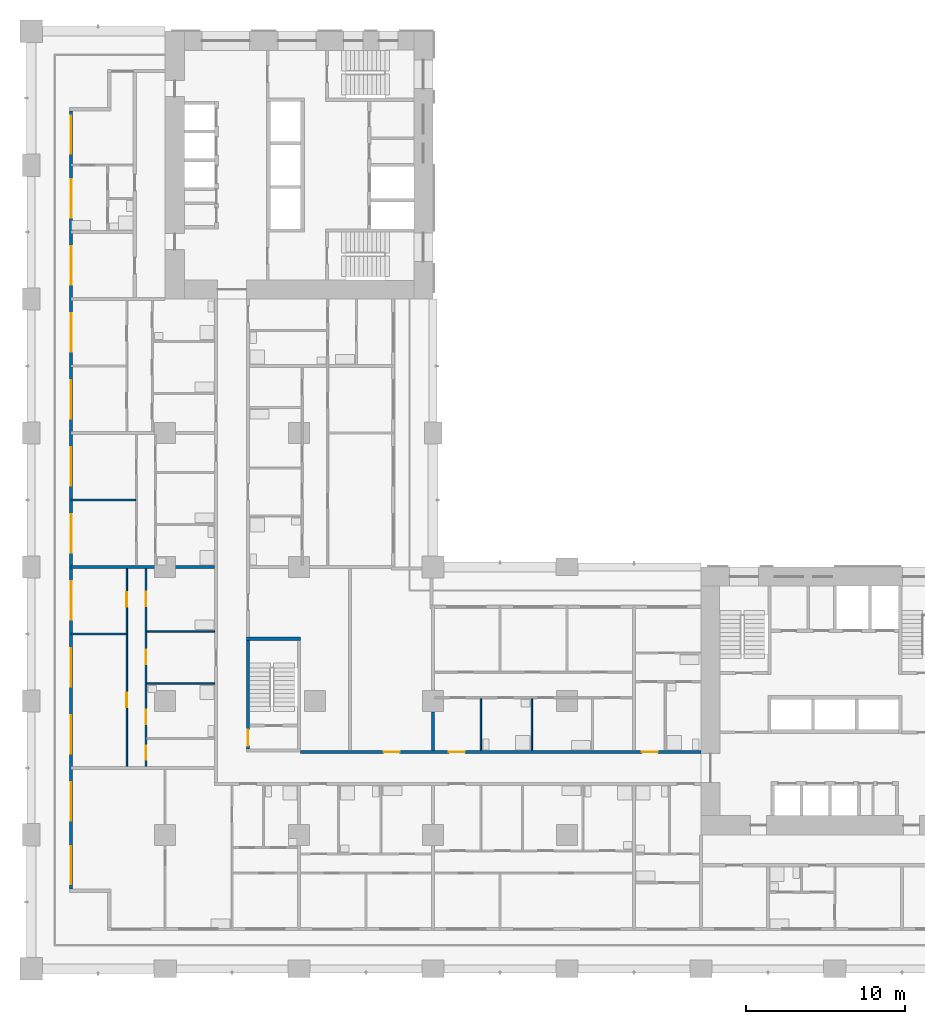
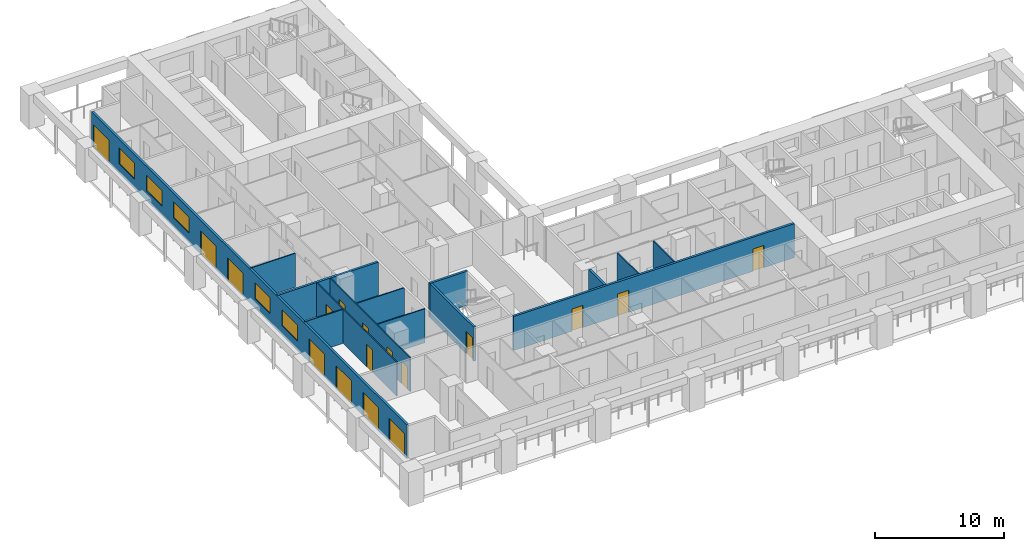
# One storey, part 3 of 19: 17 doors, 14 walls, 5 windows, 22 openings.
"""IFC4 building model written with IfcOpenShell, lengths in metres."""

from ifc_helpers import new_model, si_unit, direction, frame, frame_2d, origin, place, context, subcontext, project, spatial, rectangle, extrude, material, layer, layer_set, type_object, element, fill, save


model = new_model("IFC4")

# Units and contexts
model_context = context("Model", 3, precision=1e-05, world=origin(), true_north=direction((0.0, 1.0)))
body_context = subcontext(model_context, "Body", "Model", "MODEL_VIEW")
ifc_project = project(units=[si_unit("LENGTHUNIT", "METRE"), si_unit("AREAUNIT", "SQUARE_METRE"), si_unit("VOLUMEUNIT", "CUBIC_METRE"), si_unit("PLANEANGLEUNIT", "RADIAN"), si_unit("MASSUNIT", "GRAM", prefix="KILO")], contexts=[model_context])

# Site, building, storey
site_placement = place(None, origin())
site = spatial("IfcSite", under=ifc_project, at=site_placement, CompositionType="ELEMENT")
building_placement = place(site_placement, origin())
building = spatial("IfcBuilding", under=site, at=building_placement, Name="Vermilion Gate Residences", CompositionType="ELEMENT")
storey_placement = place(building_placement, frame((0.0, 0.0, 49.699951171875)))
storey = spatial("IfcBuildingStorey", under=building, at=storey_placement, Name="L11", CompositionType="ELEMENT", Elevation=49.699951171875)

# Wall, openings, doors, windows
ifc_material_1 = material(Name="Insulated steel stud wall with terracotta rainscreen", Category="masonry")
ifc_layer_1 = layer(ifc_material_1, 0.199951171875)
ifc_layer_set_1 = layer_set([ifc_layer_1], Name="EXTERNAL WALL 200 TERRACOTTA RAINSCREEN")
wall_type_1 = type_object("IfcWallType", Name="EXTERNAL WALL 200 TERRACOTTA RAINSCREEN", PredefinedType="SOLIDWALL", material=ifc_layer_set_1)
wall_1_placement = place(storey_placement, frame((2.5, 53.800048828125, 0.0), z_axis=(0.0, 0.0, 1.0), x_axis=(0.0, -1.0, 0.0)))
wall_1 = element("IfcWall", 1, at=wall_1_placement, inside=storey, type_object=wall_type_1, Name="External wall", PredefinedType="SOLIDWALL", context=body_context, shape_type="SweptSolid", body=[
    extrude(rectangle(XDim=48.800048828125, YDim=0.199951171875, at=frame_2d((24.39990234375, 0.0))), origin(), (0.0, 0.0, 1.0), 3.219970703125),
])
opening_1_placement = place(wall_1_placement, frame((46.10009765625, 0.0, 0.0)))
opening_1 = element("IfcOpeningElement", 2, at=opening_1_placement, cuts=wall_1, Name="Opening DE11002", PredefinedType="OPENING", context=body_context, shape_type="SweptSolid", body=[
    extrude(rectangle(XDim=2.39990234375, YDim=2.199951171875, at=frame_2d((1.199951171875, 1.10009765625))), frame((0.0, 0.10986328125, 0.0), z_axis=(0.0, -1.0, 0.0), x_axis=(1.0, 0.0, 0.0)), (0.0, 0.0, 1.0), 0.219970703125),
])
opening_2_placement = place(wall_1_placement, frame((42.10009765625, 0.0, 0.0)))
opening_2 = element("IfcOpeningElement", 3, at=opening_2_placement, cuts=wall_1, Name="Opening DE11003", PredefinedType="OPENING", context=body_context, shape_type="SweptSolid", body=[
    extrude(rectangle(XDim=2.39990234375, YDim=2.199951171875, at=frame_2d((1.199951171875, 1.10009765625))), frame((0.0, 0.10986328125, 0.0), z_axis=(0.0, -1.0, 0.0), x_axis=(1.0, 0.0, 0.0)), (0.0, 0.0, 1.0), 0.219970703125),
])
opening_3_placement = place(wall_1_placement, frame((37.89990234375, 0.0, 0.0)))
opening_3 = element("IfcOpeningElement", 4, at=opening_3_placement, cuts=wall_1, Name="Opening DE11004", PredefinedType="OPENING", context=body_context, shape_type="SweptSolid", body=[
    extrude(rectangle(XDim=2.39990234375, YDim=2.199951171875, at=frame_2d((1.199951171875, 1.10009765625))), frame((0.0, 0.10986328125, 0.0), z_axis=(0.0, -1.0, 0.0), x_axis=(1.0, 0.0, 0.0)), (0.0, 0.0, 1.0), 0.219970703125),
])
opening_4_placement = place(wall_1_placement, frame((33.699951171875, 0.0, 0.0)))
opening_4 = element("IfcOpeningElement", 5, at=opening_4_placement, cuts=wall_1, Name="Opening DE11005", PredefinedType="OPENING", context=body_context, shape_type="SweptSolid", body=[
    extrude(rectangle(XDim=2.39990234375, YDim=2.199951171875, at=frame_2d((1.199951171875, 1.10009765625))), frame((0.0, 0.10986328125, 0.0), z_axis=(0.0, -1.0, 0.0), x_axis=(1.0, 0.0, 0.0)), (0.0, 0.0, 1.0), 0.219970703125),
])
opening_5_placement = place(wall_1_placement, frame((29.5, 0.0, 0.89990234375)))
opening_5 = element("IfcOpeningElement", 6, at=opening_5_placement, cuts=wall_1, Name="Opening WE11006", PredefinedType="OPENING", context=body_context, shape_type="SweptSolid", body=[
    extrude(rectangle(XDim=2.39990234375, YDim=1.5, at=frame_2d((1.199951171875, 0.75))), frame((0.0, 0.10986328125, 0.0), z_axis=(0.0, -1.0, 0.0), x_axis=(1.0, 0.0, 0.0)), (0.0, 0.0, 1.0), 0.219970703125),
])
opening_6_placement = place(wall_1_placement, frame((25.300048828125, 0.0, 0.89990234375)))
opening_6 = element("IfcOpeningElement", 7, at=opening_6_placement, cuts=wall_1, Name="Opening WE11007", PredefinedType="OPENING", context=body_context, shape_type="SweptSolid", body=[
    extrude(rectangle(XDim=2.39990234375, YDim=1.5, at=frame_2d((1.199951171875, 0.75))), frame((0.0, 0.10986328125, 0.0), z_axis=(0.0, -1.0, 0.0), x_axis=(1.0, 0.0, 0.0)), (0.0, 0.0, 1.0), 0.219970703125),
])
opening_7_placement = place(wall_1_placement, frame((21.10009765625, 0.0, 0.0)))
opening_7 = element("IfcOpeningElement", 8, at=opening_7_placement, cuts=wall_1, Name="Opening DE11008", PredefinedType="OPENING", context=body_context, shape_type="SweptSolid", body=[
    extrude(rectangle(XDim=2.39990234375, YDim=2.199951171875, at=frame_2d((1.199951171875, 1.10009765625))), frame((0.0, 0.10986328125, 0.0), z_axis=(0.0, -1.0, 0.0), x_axis=(1.0, 0.0, 0.0)), (0.0, 0.0, 1.0), 0.219970703125),
])
opening_8_placement = place(wall_1_placement, frame((16.89990234375, 0.0, 0.0)))
opening_8 = element("IfcOpeningElement", 9, at=opening_8_placement, cuts=wall_1, Name="Opening DE11009", PredefinedType="OPENING", context=body_context, shape_type="SweptSolid", body=[
    extrude(rectangle(XDim=2.39990234375, YDim=2.199951171875, at=frame_2d((1.199951171875, 1.10009765625))), frame((0.0, 0.10986328125, 0.0), z_axis=(0.0, -1.0, 0.0), x_axis=(1.0, 0.0, 0.0)), (0.0, 0.0, 1.0), 0.219970703125),
])
opening_9_placement = place(wall_1_placement, frame((12.699951171875, 0.0, 0.89990234375)))
opening_9 = element("IfcOpeningElement", 10, at=opening_9_placement, cuts=wall_1, Name="Opening WE11010", PredefinedType="OPENING", context=body_context, shape_type="SweptSolid", body=[
    extrude(rectangle(XDim=2.39990234375, YDim=1.5, at=frame_2d((1.199951171875, 0.75))), frame((0.0, 0.10986328125, 0.0), z_axis=(0.0, -1.0, 0.0), x_axis=(1.0, 0.0, 0.0)), (0.0, 0.0, 1.0), 0.219970703125),
])
opening_10_placement = place(wall_1_placement, frame((8.5, 0.0, 0.89990234375)))
opening_10 = element("IfcOpeningElement", 11, at=opening_10_placement, cuts=wall_1, Name="Opening WE11011", PredefinedType="OPENING", context=body_context, shape_type="SweptSolid", body=[
    extrude(rectangle(XDim=2.39990234375, YDim=1.5, at=frame_2d((1.199951171875, 0.75))), frame((0.0, 0.10986328125, 0.0), z_axis=(0.0, -1.0, 0.0), x_axis=(1.0, 0.0, 0.0)), (0.0, 0.0, 1.0), 0.219970703125),
])
opening_11_placement = place(wall_1_placement, frame((4.300048828125, 0.0, 0.89990234375)))
opening_11 = element("IfcOpeningElement", 12, at=opening_11_placement, cuts=wall_1, Name="Opening WE11012", PredefinedType="OPENING", context=body_context, shape_type="SweptSolid", body=[
    extrude(rectangle(XDim=2.39990234375, YDim=1.5, at=frame_2d((1.199951171875, 0.75))), frame((0.0, 0.10986328125, 0.0), z_axis=(0.0, -1.0, 0.0), x_axis=(1.0, 0.0, 0.0)), (0.0, 0.0, 1.0), 0.219970703125),
])
opening_12_placement = place(wall_1_placement, frame((0.300048828125, 0.0, 0.0)))
opening_12 = element("IfcOpeningElement", 13, at=opening_12_placement, cuts=wall_1, Name="Opening DE11013", PredefinedType="OPENING", context=body_context, shape_type="SweptSolid", body=[
    extrude(rectangle(XDim=2.39990234375, YDim=2.199951171875, at=frame_2d((1.199951171875, 1.10009765625))), frame((0.0, 0.10986328125, 0.0), z_axis=(0.0, -1.0, 0.0), x_axis=(1.0, 0.0, 0.0)), (0.0, 0.0, 1.0), 0.219970703125),
])
ifc_material_2 = material(Name="Aluminium and clear glass", Category="aluminium")
door_type_1 = type_object("IfcDoorType", Name="SLIDING GLAZED DOOR 2400 X 2200", OperationType="DOUBLE_DOOR_SLIDING", PredefinedType="DOOR", material=ifc_material_2)
door_1_placement = place(opening_1_placement, origin())
door_1 = element("IfcDoor", 14, at=door_1_placement, inside=storey, type_object=door_type_1, Name="Loggia sliding door", OperationType="DOUBLE_DOOR_SLIDING", OverallHeight=2.199951171875, OverallWidth=2.39990234375, PredefinedType="DOOR", context=body_context, shape_type="SweptSolid", body=[
    extrude(rectangle(XDim=2.39990234375, YDim=2.199951171875, at=frame_2d((1.199951171875, 1.10009765625))), frame((0.0, 0.02490234375, 0.0), z_axis=(0.0, -1.0, 0.0), x_axis=(1.0, 0.0, 0.0)), (0.0, 0.0, 1.0), 0.050048828125),
])
fill(opening_1, door_1)
door_2_placement = place(opening_2_placement, origin())
door_2 = element("IfcDoor", 15, at=door_2_placement, inside=storey, type_object=door_type_1, Name="Loggia sliding door", OperationType="DOUBLE_DOOR_SLIDING", OverallHeight=2.199951171875, OverallWidth=2.39990234375, PredefinedType="DOOR", context=body_context, shape_type="SweptSolid", body=[
    extrude(rectangle(XDim=2.39990234375, YDim=2.199951171875, at=frame_2d((1.199951171875, 1.10009765625))), frame((0.0, 0.02490234375, 0.0), z_axis=(0.0, -1.0, 0.0), x_axis=(1.0, 0.0, 0.0)), (0.0, 0.0, 1.0), 0.050048828125),
])
fill(opening_2, door_2)
door_3_placement = place(opening_3_placement, origin())
door_3 = element("IfcDoor", 16, at=door_3_placement, inside=storey, type_object=door_type_1, Name="Loggia sliding door", OperationType="DOUBLE_DOOR_SLIDING", OverallHeight=2.199951171875, OverallWidth=2.39990234375, PredefinedType="DOOR", context=body_context, shape_type="SweptSolid", body=[
    extrude(rectangle(XDim=2.39990234375, YDim=2.199951171875, at=frame_2d((1.199951171875, 1.10009765625))), frame((0.0, 0.02490234375, 0.0), z_axis=(0.0, -1.0, 0.0), x_axis=(1.0, 0.0, 0.0)), (0.0, 0.0, 1.0), 0.050048828125),
])
fill(opening_3, door_3)
door_4_placement = place(opening_4_placement, origin())
door_4 = element("IfcDoor", 17, at=door_4_placement, inside=storey, type_object=door_type_1, Name="Loggia sliding door", OperationType="DOUBLE_DOOR_SLIDING", OverallHeight=2.199951171875, OverallWidth=2.39990234375, PredefinedType="DOOR", context=body_context, shape_type="SweptSolid", body=[
    extrude(rectangle(XDim=2.39990234375, YDim=2.199951171875, at=frame_2d((1.199951171875, 1.10009765625))), frame((0.0, 0.02490234375, 0.0), z_axis=(0.0, -1.0, 0.0), x_axis=(1.0, 0.0, 0.0)), (0.0, 0.0, 1.0), 0.050048828125),
])
fill(opening_4, door_4)
door_5_placement = place(opening_7_placement, origin())
door_5 = element("IfcDoor", 18, at=door_5_placement, inside=storey, type_object=door_type_1, Name="Loggia sliding door", OperationType="DOUBLE_DOOR_SLIDING", OverallHeight=2.199951171875, OverallWidth=2.39990234375, PredefinedType="DOOR", context=body_context, shape_type="SweptSolid", body=[
    extrude(rectangle(XDim=2.39990234375, YDim=2.199951171875, at=frame_2d((1.199951171875, 1.10009765625))), frame((0.0, 0.02490234375, 0.0), z_axis=(0.0, -1.0, 0.0), x_axis=(1.0, 0.0, 0.0)), (0.0, 0.0, 1.0), 0.050048828125),
])
fill(opening_7, door_5)
door_6_placement = place(opening_8_placement, origin())
door_6 = element("IfcDoor", 19, at=door_6_placement, inside=storey, type_object=door_type_1, Name="Loggia sliding door", OperationType="DOUBLE_DOOR_SLIDING", OverallHeight=2.199951171875, OverallWidth=2.39990234375, PredefinedType="DOOR", context=body_context, shape_type="SweptSolid", body=[
    extrude(rectangle(XDim=2.39990234375, YDim=2.199951171875, at=frame_2d((1.199951171875, 1.10009765625))), frame((0.0, 0.02490234375, 0.0), z_axis=(0.0, -1.0, 0.0), x_axis=(1.0, 0.0, 0.0)), (0.0, 0.0, 1.0), 0.050048828125),
])
fill(opening_8, door_6)
door_7_placement = place(opening_12_placement, origin())
door_7 = element("IfcDoor", 20, at=door_7_placement, inside=storey, type_object=door_type_1, Name="Loggia sliding door", OperationType="DOUBLE_DOOR_SLIDING", OverallHeight=2.199951171875, OverallWidth=2.39990234375, PredefinedType="DOOR", context=body_context, shape_type="SweptSolid", body=[
    extrude(rectangle(XDim=2.39990234375, YDim=2.199951171875, at=frame_2d((1.199951171875, 1.10009765625))), frame((0.0, 0.02490234375, 0.0), z_axis=(0.0, -1.0, 0.0), x_axis=(1.0, 0.0, 0.0)), (0.0, 0.0, 1.0), 0.050048828125),
])
fill(opening_12, door_7)
ifc_material_3 = material(Name="Aluminium and clear glass", Category="aluminium")
window_type = type_object("IfcWindowType", Name="WINDOW 2400 X 1500", PartitioningType="SINGLE_PANEL", PredefinedType="WINDOW", material=ifc_material_3)
window_1_placement = place(opening_5_placement, origin())
window_1 = element("IfcWindow", 21, at=window_1_placement, inside=storey, type_object=window_type, Name="Window", OverallHeight=1.5, OverallWidth=2.39990234375, PartitioningType="SINGLE_PANEL", PredefinedType="WINDOW", context=body_context, shape_type="SweptSolid", body=[
    extrude(rectangle(XDim=2.39990234375, YDim=1.5, at=frame_2d((1.199951171875, 0.75))), frame((0.0, 0.030029296875, 0.0), z_axis=(0.0, -1.0, 0.0), x_axis=(1.0, 0.0, 0.0)), (0.0, 0.0, 1.0), 0.06005859375),
])
fill(opening_5, window_1)
window_2_placement = place(opening_6_placement, origin())
window_2 = element("IfcWindow", 22, at=window_2_placement, inside=storey, type_object=window_type, Name="Window", OverallHeight=1.5, OverallWidth=2.39990234375, PartitioningType="SINGLE_PANEL", PredefinedType="WINDOW", context=body_context, shape_type="SweptSolid", body=[
    extrude(rectangle(XDim=2.39990234375, YDim=1.5, at=frame_2d((1.199951171875, 0.75))), frame((0.0, 0.030029296875, 0.0), z_axis=(0.0, -1.0, 0.0), x_axis=(1.0, 0.0, 0.0)), (0.0, 0.0, 1.0), 0.06005859375),
])
fill(opening_6, window_2)
window_3_placement = place(opening_9_placement, origin())
window_3 = element("IfcWindow", 23, at=window_3_placement, inside=storey, type_object=window_type, Name="Window", OverallHeight=1.5, OverallWidth=2.39990234375, PartitioningType="SINGLE_PANEL", PredefinedType="WINDOW", context=body_context, shape_type="SweptSolid", body=[
    extrude(rectangle(XDim=2.39990234375, YDim=1.5, at=frame_2d((1.199951171875, 0.75))), frame((0.0, 0.030029296875, 0.0), z_axis=(0.0, -1.0, 0.0), x_axis=(1.0, 0.0, 0.0)), (0.0, 0.0, 1.0), 0.06005859375),
])
fill(opening_9, window_3)
window_4_placement = place(opening_10_placement, origin())
window_4 = element("IfcWindow", 24, at=window_4_placement, inside=storey, type_object=window_type, Name="Window", OverallHeight=1.5, OverallWidth=2.39990234375, PartitioningType="SINGLE_PANEL", PredefinedType="WINDOW", context=body_context, shape_type="SweptSolid", body=[
    extrude(rectangle(XDim=2.39990234375, YDim=1.5, at=frame_2d((1.199951171875, 0.75))), frame((0.0, 0.030029296875, 0.0), z_axis=(0.0, -1.0, 0.0), x_axis=(1.0, 0.0, 0.0)), (0.0, 0.0, 1.0), 0.06005859375),
])
fill(opening_10, window_4)
window_5_placement = place(opening_11_placement, origin())
window_5 = element("IfcWindow", 25, at=window_5_placement, inside=storey, type_object=window_type, Name="Window", OverallHeight=1.5, OverallWidth=2.39990234375, PartitioningType="SINGLE_PANEL", PredefinedType="WINDOW", context=body_context, shape_type="SweptSolid", body=[
    extrude(rectangle(XDim=2.39990234375, YDim=1.5, at=frame_2d((1.199951171875, 0.75))), frame((0.0, 0.030029296875, 0.0), z_axis=(0.0, -1.0, 0.0), x_axis=(1.0, 0.0, 0.0)), (0.0, 0.0, 1.0), 0.06005859375),
])
fill(opening_11, window_5)

# Walls
ifc_material_4 = material(Name="Plasterboard on steel studs", Category="steel")
ifc_layer_2 = layer(ifc_material_4, 0.10009765625)
ifc_layer_set_2 = layer_set([ifc_layer_2], Name="PARTITION 100")
wall_type_2 = type_object("IfcWallType", Name="PARTITION 100", PredefinedType="PARTITIONING", material=ifc_layer_set_2)
wall_2_placement = place(storey_placement, frame((7.25, 17.89990234375, 0.0), z_axis=(0.0, 0.0, 1.0), x_axis=(1.0, 0.0, 0.0)))
element("IfcWall", 26, at=wall_2_placement, inside=storey, type_object=wall_type_2, Name="Partition", PredefinedType="PARTITIONING", context=body_context, shape_type="SweptSolid", body=[
    extrude(rectangle(XDim=4.25, YDim=0.10009765625, at=frame_2d((2.125, 0.0))), origin(), (0.0, 0.0, 1.0), 3.219970703125),
])
wall_3_placement = place(storey_placement, frame((2.5, 21.0, 0.0), z_axis=(0.0, 0.0, 1.0), x_axis=(1.0, 0.0, 0.0)))
element("IfcWall", 27, at=wall_3_placement, inside=storey, type_object=wall_type_2, Name="Partition", PredefinedType="PARTITIONING", context=body_context, shape_type="SweptSolid", body=[
    extrude(rectangle(XDim=3.449951171875, YDim=0.10009765625, at=frame_2d((1.72509765625, 0.0))), origin(), (0.0, 0.0, 1.0), 3.219970703125),
])
wall_4_placement = place(storey_placement, frame((7.25, 21.14990234375, 0.0), z_axis=(0.0, 0.0, 1.0), x_axis=(1.0, 0.0, 0.0)))
element("IfcWall", 28, at=wall_4_placement, inside=storey, type_object=wall_type_2, Name="Partition", PredefinedType="PARTITIONING", context=body_context, shape_type="SweptSolid", body=[
    extrude(rectangle(XDim=4.25, YDim=0.10009765625, at=frame_2d((2.125, 0.0))), origin(), (0.0, 0.0, 1.0), 3.219970703125),
])
wall_5_placement = place(storey_placement, frame((2.5, 29.39990234375, 0.0), z_axis=(0.0, 0.0, 1.0), x_axis=(1.0, 0.0, 0.0)))
element("IfcWall", 29, at=wall_5_placement, inside=storey, type_object=wall_type_2, Name="Partition", PredefinedType="PARTITIONING", context=body_context, shape_type="SweptSolid", body=[
    extrude(rectangle(XDim=4.050048828125, YDim=0.10009765625, at=frame_2d((2.02490234375, 0.0))), origin(), (0.0, 0.0, 1.0), 3.219970703125),
])

# Wall, openings, doors
wall_6_placement = place(storey_placement, frame((6.0, 12.699951171875, 0.0), z_axis=(0.0, 0.0, 1.0), x_axis=(0.0, 1.0, 0.0)))
wall_6 = element("IfcWall", 30, at=wall_6_placement, inside=storey, type_object=wall_type_2, Name="Partition", PredefinedType="PARTITIONING", context=body_context, shape_type="SweptSolid", body=[
    extrude(rectangle(XDim=12.400146484375, YDim=0.10009765625, at=frame_2d((6.2001953125, 0.0))), origin(), (0.0, 0.0, 1.0), 3.219970703125),
])
opening_13_placement = place(wall_6_placement, frame((3.699951171875, 0.0, 0.0)))
opening_13 = element("IfcOpeningElement", 31, at=opening_13_placement, cuts=wall_6, Name="Opening DA10045", PredefinedType="OPENING", context=body_context, shape_type="SweptSolid", body=[
    extrude(rectangle(XDim=0.89990234375, YDim=2.10009765625, at=frame_2d((0.449951171875, 1.050048828125))), frame((0.0, 0.06005859375, 0.0), z_axis=(0.0, -1.0, 0.0), x_axis=(1.0, 0.0, 0.0)), (0.0, 0.0, 1.0), 0.1201171875),
])
opening_14_placement = place(wall_6_placement, frame((10.0, 0.0, 0.0)))
opening_14 = element("IfcOpeningElement", 32, at=opening_14_placement, cuts=wall_6, Name="Opening DA10046", PredefinedType="OPENING", context=body_context, shape_type="SweptSolid", body=[
    extrude(rectangle(XDim=0.89990234375, YDim=2.10009765625, at=frame_2d((0.449951171875, 1.050048828125))), frame((0.0, 0.06005859375, 0.0), z_axis=(0.0, -1.0, 0.0), x_axis=(1.0, 0.0, 0.0)), (0.0, 0.0, 1.0), 0.1201171875),
])
ifc_material_5 = material(Name="Timber", Category="wood")
door_type_2 = type_object("IfcDoorType", Name="INTERIOR DOOR 900 X 2100", OperationType="SINGLE_SWING_LEFT", PredefinedType="DOOR", material=ifc_material_5)
door_8_placement = place(opening_13_placement, origin())
door_8 = element("IfcDoor", 33, at=door_8_placement, inside=storey, type_object=door_type_2, Name="Interior door", OperationType="SINGLE_SWING_LEFT", OverallHeight=2.10009765625, OverallWidth=0.89990234375, PredefinedType="DOOR", context=body_context, shape_type="SweptSolid", body=[
    extrude(rectangle(XDim=0.89990234375, YDim=2.10009765625, at=frame_2d((0.449951171875, 1.050048828125))), frame((0.0, 0.02490234375, 0.0), z_axis=(0.0, -1.0, 0.0), x_axis=(1.0, 0.0, 0.0)), (0.0, 0.0, 1.0), 0.050048828125),
])
fill(opening_13, door_8)
door_9_placement = place(opening_14_placement, origin())
door_9 = element("IfcDoor", 34, at=door_9_placement, inside=storey, type_object=door_type_2, Name="Interior door", OperationType="SINGLE_SWING_RIGHT", OverallHeight=2.10009765625, OverallWidth=0.89990234375, PredefinedType="DOOR", context=body_context, shape_type="SweptSolid", body=[
    extrude(rectangle(XDim=0.89990234375, YDim=2.10009765625, at=frame_2d((0.449951171875, 1.050048828125))), frame((0.0, 0.02490234375, 0.0), z_axis=(0.0, -1.0, 0.0), x_axis=(1.0, 0.0, 0.0)), (0.0, 0.0, 1.0), 0.050048828125),
])
fill(opening_14, door_9)

wall_7_placement = place(storey_placement, frame((7.199951171875, 12.699951171875, 0.0), z_axis=(0.0, 0.0, 1.0), x_axis=(0.0, 1.0, 0.0)))
wall_7 = element("IfcWall", 35, at=wall_7_placement, inside=storey, type_object=wall_type_2, Name="Partition", PredefinedType="PARTITIONING", context=body_context, shape_type="SweptSolid", body=[
    extrude(rectangle(XDim=12.400146484375, YDim=0.10009765625, at=frame_2d((6.2001953125, 0.0))), origin(), (0.0, 0.0, 1.0), 3.219970703125),
])
opening_15_placement = place(wall_7_placement, frame((6.39990234375, 0.0, 0.0)))
opening_15 = element("IfcOpeningElement", 36, at=opening_15_placement, cuts=wall_7, Name="Opening DA10053", PredefinedType="OPENING", context=body_context, shape_type="SweptSolid", body=[
    extrude(rectangle(XDim=0.89990234375, YDim=2.10009765625, at=frame_2d((0.449951171875, 1.050048828125))), frame((0.0, 0.06005859375, 0.0), z_axis=(0.0, -1.0, 0.0), x_axis=(1.0, 0.0, 0.0)), (0.0, 0.0, 1.0), 0.1201171875),
])
opening_16_placement = place(wall_7_placement, frame((0.39990234375, 0.0, 0.0)))
opening_16 = element("IfcOpeningElement", 37, at=opening_16_placement, cuts=wall_7, Name="Opening DA10054", PredefinedType="OPENING", context=body_context, shape_type="SweptSolid", body=[
    extrude(rectangle(XDim=0.89990234375, YDim=2.10009765625, at=frame_2d((0.449951171875, 1.050048828125))), frame((0.0, 0.06005859375, 0.0), z_axis=(0.0, -1.0, 0.0), x_axis=(1.0, 0.0, 0.0)), (0.0, 0.0, 1.0), 0.1201171875),
])
opening_17_placement = place(wall_7_placement, frame((2.64990234375, 0.0, 0.0)))
opening_17 = element("IfcOpeningElement", 38, at=opening_17_placement, cuts=wall_7, Name="Opening DA10055", PredefinedType="OPENING", context=body_context, shape_type="SweptSolid", body=[
    extrude(rectangle(XDim=0.89990234375, YDim=2.10009765625, at=frame_2d((0.449951171875, 1.050048828125))), frame((0.0, 0.06005859375, 0.0), z_axis=(0.0, -1.0, 0.0), x_axis=(1.0, 0.0, 0.0)), (0.0, 0.0, 1.0), 0.1201171875),
])
opening_18_placement = place(wall_7_placement, frame((10.050048828125, 0.0, 0.0)))
opening_18 = element("IfcOpeningElement", 39, at=opening_18_placement, cuts=wall_7, Name="Opening DA10056", PredefinedType="OPENING", context=body_context, shape_type="SweptSolid", body=[
    extrude(rectangle(XDim=0.89990234375, YDim=2.10009765625, at=frame_2d((0.449951171875, 1.050048828125))), frame((0.0, 0.06005859375, 0.0), z_axis=(0.0, -1.0, 0.0), x_axis=(1.0, 0.0, 0.0)), (0.0, 0.0, 1.0), 0.1201171875),
])
door_10_placement = place(opening_15_placement, frame((0.89990234375, 0.0, 0.0), z_axis=(0.0, 0.0, 1.0), x_axis=(-1.0, 0.0, 0.0)))
door_10 = element("IfcDoor", 40, at=door_10_placement, inside=storey, type_object=door_type_2, Name="Interior door", OperationType="SINGLE_SWING_LEFT", OverallHeight=2.10009765625, OverallWidth=0.89990234375, PredefinedType="DOOR", context=body_context, shape_type="SweptSolid", body=[
    extrude(rectangle(XDim=0.89990234375, YDim=2.10009765625, at=frame_2d((0.449951171875, 1.050048828125))), frame((0.0, 0.02490234375, 0.0), z_axis=(0.0, -1.0, 0.0), x_axis=(1.0, 0.0, 0.0)), (0.0, 0.0, 1.0), 0.050048828125),
])
fill(opening_15, door_10)
door_11_placement = place(opening_16_placement, frame((0.89990234375, 0.0, 0.0), z_axis=(0.0, 0.0, 1.0), x_axis=(-1.0, 0.0, 0.0)))
door_11 = element("IfcDoor", 41, at=door_11_placement, inside=storey, type_object=door_type_2, Name="Interior door", OperationType="SINGLE_SWING_LEFT", OverallHeight=2.10009765625, OverallWidth=0.89990234375, PredefinedType="DOOR", context=body_context, shape_type="SweptSolid", body=[
    extrude(rectangle(XDim=0.89990234375, YDim=2.10009765625, at=frame_2d((0.449951171875, 1.050048828125))), frame((0.0, 0.02490234375, 0.0), z_axis=(0.0, -1.0, 0.0), x_axis=(1.0, 0.0, 0.0)), (0.0, 0.0, 1.0), 0.050048828125),
])
fill(opening_16, door_11)
door_12_placement = place(opening_17_placement, frame((0.89990234375, 0.0, 0.0), z_axis=(0.0, 0.0, 1.0), x_axis=(-1.0, 0.0, 0.0)))
door_12 = element("IfcDoor", 42, at=door_12_placement, inside=storey, type_object=door_type_2, Name="Interior door", OperationType="SINGLE_SWING_RIGHT", OverallHeight=2.10009765625, OverallWidth=0.89990234375, PredefinedType="DOOR", context=body_context, shape_type="SweptSolid", body=[
    extrude(rectangle(XDim=0.89990234375, YDim=2.10009765625, at=frame_2d((0.449951171875, 1.050048828125))), frame((0.0, 0.02490234375, 0.0), z_axis=(0.0, -1.0, 0.0), x_axis=(1.0, 0.0, 0.0)), (0.0, 0.0, 1.0), 0.050048828125),
])
fill(opening_17, door_12)
door_13_placement = place(opening_18_placement, frame((0.89990234375, 0.0, 0.0), z_axis=(0.0, 0.0, 1.0), x_axis=(-1.0, 0.0, 0.0)))
door_13 = element("IfcDoor", 43, at=door_13_placement, inside=storey, type_object=door_type_2, Name="Interior door", OperationType="SINGLE_SWING_LEFT", OverallHeight=2.10009765625, OverallWidth=0.89990234375, PredefinedType="DOOR", context=body_context, shape_type="SweptSolid", body=[
    extrude(rectangle(XDim=0.89990234375, YDim=2.10009765625, at=frame_2d((0.449951171875, 1.050048828125))), frame((0.0, 0.02490234375, 0.0), z_axis=(0.0, -1.0, 0.0), x_axis=(1.0, 0.0, 0.0)), (0.0, 0.0, 1.0), 0.050048828125),
])
fill(opening_18, door_13)

# Walls
for number, where, z_axis, x_axis, name in (
    (44, (28.199951171875, 13.699951171875, 0.0), (0.0, 0.0, 1.0), (0.0, 1.0, 0.0), "Partition"),
    (45, (31.39990234375, 13.699951171875, 0.0), (0.0, 0.0, 1.0), (0.0, 1.0, 0.0), "Partition"),
):
    element("IfcWall", number, at=place(storey_placement, frame(where, z_axis=z_axis, x_axis=x_axis)), inside=storey, type_object=wall_type_2, Name=name, PredefinedType="PARTITIONING", context=body_context, shape_type="SweptSolid", body=[
        extrude(rectangle(XDim=3.25, YDim=0.10009765625, at=frame_2d((1.625, 0.0))), origin(), (0.0, 0.0, 1.0), 3.219970703125),
    ])

# Wall, openings, doors
ifc_material_6 = material(Name="Fire-rated plasterboard on steel studs", Category="steel")
ifc_layer_3 = layer(ifc_material_6, 0.199951171875)
ifc_layer_set_3 = layer_set([ifc_layer_3], Name="PARTY WALL 200 EI 120")
wall_type_3 = type_object("IfcWallType", Name="PARTY WALL 200 EI 120", PredefinedType="PARTITIONING", material=ifc_layer_set_3)
wall_8_placement = place(storey_placement, frame((16.89990234375, 13.60009765625, 0.0), z_axis=(0.0, 0.0, 1.0), x_axis=(1.0, 0.0, 0.0)))
wall_8 = element("IfcWall", 46, at=wall_8_placement, inside=storey, type_object=wall_type_3, Name="Party and corridor wall", PredefinedType="PARTITIONING", context=body_context, shape_type="SweptSolid", body=[
    extrude(rectangle(XDim=25.10009765625, YDim=0.199951171875, at=frame_2d((12.550048828125, 0.0))), origin(), (0.0, 0.0, 1.0), 3.219970703125),
])
opening_19_placement = place(wall_8_placement, frame((9.300048828125, 0.0, 0.0)))
opening_19 = element("IfcOpeningElement", 47, at=opening_19_placement, cuts=wall_8, Name="Opening DA10028", PredefinedType="OPENING", context=body_context, shape_type="SweptSolid", body=[
    extrude(rectangle(XDim=1.0, YDim=2.10009765625, at=frame_2d((0.5, 1.050048828125))), frame((0.0, 0.10986328125, 0.0), z_axis=(0.0, -1.0, 0.0), x_axis=(1.0, 0.0, 0.0)), (0.0, 0.0, 1.0), 0.219970703125),
])
opening_20_placement = place(wall_8_placement, frame((21.39990234375, 0.0, 0.0)))
opening_20 = element("IfcOpeningElement", 48, at=opening_20_placement, cuts=wall_8, Name="Opening DA10029", PredefinedType="OPENING", context=body_context, shape_type="SweptSolid", body=[
    extrude(rectangle(XDim=1.0, YDim=2.10009765625, at=frame_2d((0.5, 1.050048828125))), frame((0.0, 0.10986328125, 0.0), z_axis=(0.0, -1.0, 0.0), x_axis=(1.0, 0.0, 0.0)), (0.0, 0.0, 1.0), 0.219970703125),
])
opening_21_placement = place(wall_8_placement, frame((5.199951171875, 0.0, 0.0)))
opening_21 = element("IfcOpeningElement", 49, at=opening_21_placement, cuts=wall_8, Name="Opening DA10030", PredefinedType="OPENING", context=body_context, shape_type="SweptSolid", body=[
    extrude(rectangle(XDim=1.0, YDim=2.10009765625, at=frame_2d((0.5, 1.050048828125))), frame((0.0, 0.10986328125, 0.0), z_axis=(0.0, -1.0, 0.0), x_axis=(1.0, 0.0, 0.0)), (0.0, 0.0, 1.0), 0.219970703125),
])
ifc_material_7 = material(Name="Steel", Category="steel")
door_type_3 = type_object("IfcDoorType", Name="ENTRANCE DOOR 1000 X 2100 FD30", OperationType="SINGLE_SWING_LEFT", PredefinedType="DOOR", material=ifc_material_7)
door_14_placement = place(opening_19_placement, origin())
door_14 = element("IfcDoor", 50, at=door_14_placement, inside=storey, type_object=door_type_3, Name="Entrance door", OperationType="SINGLE_SWING_LEFT", OverallHeight=2.10009765625, OverallWidth=1.0, PredefinedType="DOOR", context=body_context, shape_type="SweptSolid", body=[
    extrude(rectangle(XDim=1.0, YDim=2.10009765625, at=frame_2d((0.5, 1.050048828125))), frame((0.0, 0.02490234375, 0.0), z_axis=(0.0, -1.0, 0.0), x_axis=(1.0, 0.0, 0.0)), (0.0, 0.0, 1.0), 0.050048828125),
])
fill(opening_19, door_14)
door_15_placement = place(opening_20_placement, origin())
door_15 = element("IfcDoor", 51, at=door_15_placement, inside=storey, type_object=door_type_3, Name="Entrance door", OperationType="SINGLE_SWING_LEFT", OverallHeight=2.10009765625, OverallWidth=1.0, PredefinedType="DOOR", context=body_context, shape_type="SweptSolid", body=[
    extrude(rectangle(XDim=1.0, YDim=2.10009765625, at=frame_2d((0.5, 1.050048828125))), frame((0.0, 0.02490234375, 0.0), z_axis=(0.0, -1.0, 0.0), x_axis=(1.0, 0.0, 0.0)), (0.0, 0.0, 1.0), 0.050048828125),
])
fill(opening_20, door_15)
door_16_placement = place(opening_21_placement, origin())
door_16 = element("IfcDoor", 52, at=door_16_placement, inside=storey, type_object=door_type_3, Name="Entrance door", OperationType="SINGLE_SWING_LEFT", OverallHeight=2.10009765625, OverallWidth=1.0, PredefinedType="DOOR", context=body_context, shape_type="SweptSolid", body=[
    extrude(rectangle(XDim=1.0, YDim=2.10009765625, at=frame_2d((0.5, 1.050048828125))), frame((0.0, 0.02490234375, 0.0), z_axis=(0.0, -1.0, 0.0), x_axis=(1.0, 0.0, 0.0)), (0.0, 0.0, 1.0), 0.050048828125),
])
fill(opening_21, door_16)

# Walls
wall_9_placement = place(storey_placement, frame((2.5, 25.199951171875, 0.0), z_axis=(0.0, 0.0, 1.0), x_axis=(1.0, 0.0, 0.0)))
element("IfcWall", 53, at=wall_9_placement, inside=storey, type_object=wall_type_3, Name="Party and corridor wall", PredefinedType="PARTITIONING", context=body_context, shape_type="SweptSolid", body=[
    extrude(rectangle(XDim=9.0, YDim=0.199951171875, at=frame_2d((4.5, 0.0))), origin(), (0.0, 0.0, 1.0), 3.219970703125),
])
wall_10_placement = place(storey_placement, frame((25.199951171875, 13.699951171875, 0.0), z_axis=(0.0, 0.0, 1.0), x_axis=(0.0, 1.0, 0.0)))
element("IfcWall", 54, at=wall_10_placement, inside=storey, type_object=wall_type_3, Name="Party and corridor wall", PredefinedType="PARTITIONING", context=body_context, shape_type="SweptSolid", body=[
    extrude(rectangle(XDim=2.400146484375, YDim=0.199951171875, at=frame_2d((1.2001953125, 0.0))), origin(), (0.0, 0.0, 1.0), 3.219970703125),
])

# Wall, opening, door
ifc_material_8 = material(Name="Concrete C60", Category="concrete")
ifc_layer_4 = layer(ifc_material_8, 0.199951171875)
ifc_layer_set_4 = layer_set([ifc_layer_4], Name="RC CORE INTERNAL WALL 200 C60")
wall_type_4 = type_object("IfcWallType", Name="RC CORE INTERNAL WALL 200 C60", PredefinedType="SHEAR", material=ifc_layer_set_4)
wall_11_placement = place(storey_placement, frame((13.60009765625, 13.800048828125, 0.0), z_axis=(0.0, 0.0, 1.0), x_axis=(0.0, 1.0, 0.0)))
wall_11 = element("IfcWall", 55, at=wall_11_placement, inside=storey, type_object=wall_type_4, Name="Core internal wall C11-W", PredefinedType="SHEAR", context=body_context, shape_type="SweptSolid", body=[
    extrude(rectangle(XDim=6.800048828125, YDim=0.199951171875, at=frame_2d((3.39990234375, 0.0))), origin(), (0.0, 0.0, 1.0), 3.219970703125),
])
opening_22_placement = place(wall_11_placement, frame((0.199951171875, 0.0, 0.0)))
opening_22 = element("IfcOpeningElement", 56, at=opening_22_placement, cuts=wall_11, Name="Opening DK11201", PredefinedType="OPENING", context=body_context, shape_type="SweptSolid", body=[
    extrude(rectangle(XDim=1.0, YDim=2.10009765625, at=frame_2d((0.5, 1.050048828125))), frame((0.0, 0.10986328125, 0.0), z_axis=(0.0, -1.0, 0.0), x_axis=(1.0, 0.0, 0.0)), (0.0, 0.0, 1.0), 0.219970703125),
])
ifc_material_9 = material(Name="Steel", Category="steel")
door_type_4 = type_object("IfcDoorType", Name="FIRE DOOR FD60 1000 X 2100", OperationType="SINGLE_SWING_LEFT", PredefinedType="DOOR", material=ifc_material_9)
door_17_placement = place(opening_22_placement, frame((1.0, 0.0, 0.0), z_axis=(0.0, 0.0, 1.0), x_axis=(-1.0, 0.0, 0.0)))
door_17 = element("IfcDoor", 57, at=door_17_placement, inside=storey, type_object=door_type_4, Name="Stair vestibule door C11", OperationType="SINGLE_SWING_LEFT", OverallHeight=2.10009765625, OverallWidth=1.0, PredefinedType="DOOR", context=body_context, shape_type="SweptSolid", body=[
    extrude(rectangle(XDim=1.0, YDim=2.10009765625, at=frame_2d((0.5, 1.050048828125))), frame((0.0, 0.02490234375, 0.0), z_axis=(0.0, -1.0, 0.0), x_axis=(1.0, 0.0, 0.0)), (0.0, 0.0, 1.0), 0.050048828125),
])
fill(opening_22, door_17)

# Wall
wall_12_placement = place(storey_placement, frame((13.5, 20.699951171875, 0.0), z_axis=(0.0, 0.0, 1.0), x_axis=(1.0, 0.0, 0.0)))
element("IfcWall", 58, at=wall_12_placement, inside=storey, type_object=wall_type_4, Name="Core internal wall C11-N", PredefinedType="SHEAR", context=body_context, shape_type="SweptSolid", body=[
    extrude(rectangle(XDim=3.39990234375, YDim=0.199951171875, at=frame_2d((1.699951171875, 0.0))), origin(), (0.0, 0.0, 1.0), 3.219970703125),
])

save(model, "model.ifc")
